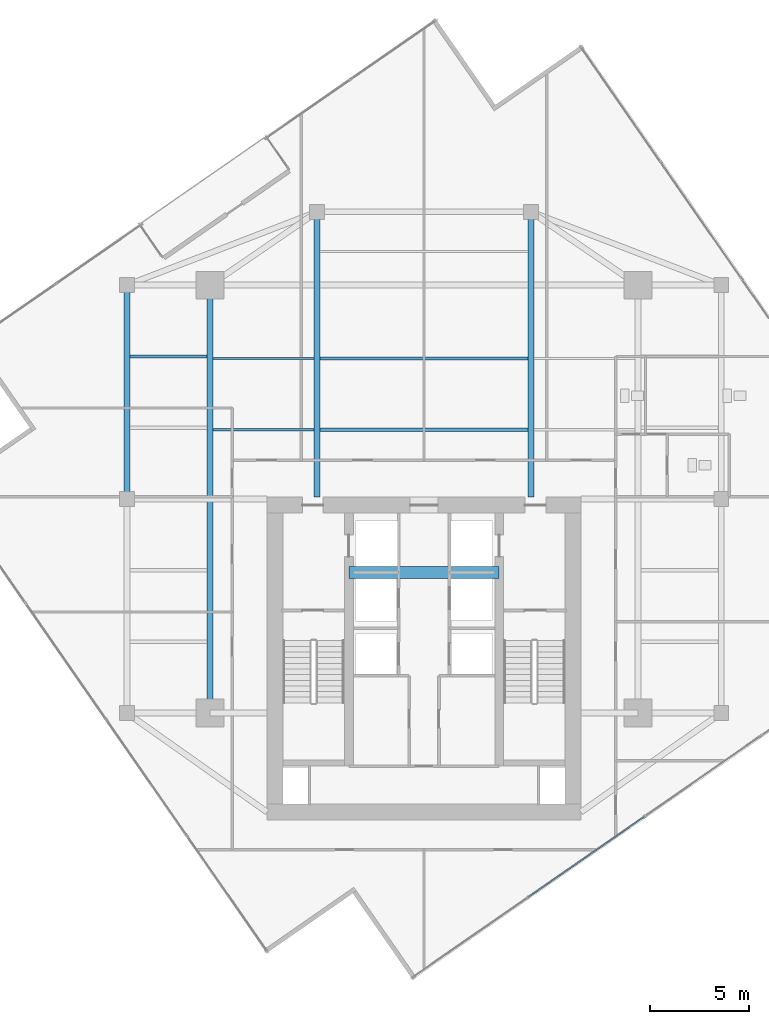
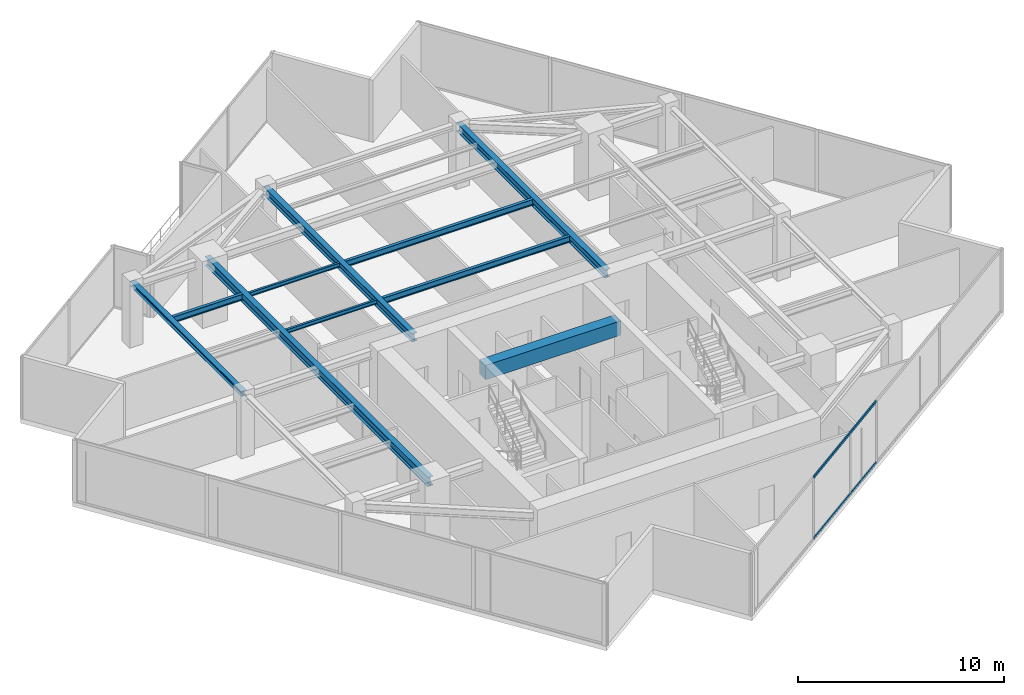
# One storey, part 7 of 21: 10 beams, 2 members, 1 element without a shape of its own.
"""IFC4 building model written with IfcOpenShell, lengths in metres."""

from ifc_helpers import new_model, si_unit, direction, frame, origin, origin_2d, place, context, subcontext, project, spatial, rectangle, hollow_rectangle, i_section, extrude, source, transform, mapped, material, material_profile, profile_set, type_object, type_shapes, element, aggregate, save


model = new_model("IFC4")

# Units and contexts
model_context = context("Model", 3, precision=1e-05, world=origin(), true_north=direction((0.0, 1.0)))
body_context = subcontext(model_context, "Body", "Model", "MODEL_VIEW")
ifc_project = project(units=[si_unit("LENGTHUNIT", "METRE"), si_unit("AREAUNIT", "SQUARE_METRE"), si_unit("VOLUMEUNIT", "CUBIC_METRE"), si_unit("PLANEANGLEUNIT", "RADIAN"), si_unit("MASSUNIT", "GRAM", prefix="KILO")], contexts=[model_context])

# Site, building, storey
site_placement = place(None, origin())
site = spatial("IfcSite", under=ifc_project, at=site_placement, CompositionType="ELEMENT")
building_placement = place(site_placement, origin())
building = spatial("IfcBuilding", under=site, at=building_placement, Name="Krantzveldt Concourse Tower", CompositionType="ELEMENT")
storey_placement = place(building_placement, frame((0.0, 0.0, 275.300048828125)))
storey = spatial("IfcBuildingStorey", under=building, at=storey_placement, Name="L67", CompositionType="ELEMENT", Elevation=275.300048828125)

# Beams
ifc_material_1 = material(Name="Steel S355JR", Category="steel")
ifc_material_profile_1 = material_profile(ifc_material_1, i_section(OverallWidth=0.169921875, OverallDepth=0.360107421875, WebThickness=0.008056640625, FlangeThickness=0.0126953125, FilletRadius=0.01806640625, at=origin_2d()), Name="Steel S355JR", Category="steel")
ifc_profile_set_1 = profile_set([ifc_material_profile_1], Name="Steel S355JR - IPE 360")
beam_type_1 = type_object("IfcBeamType", Name="BM-J-IPE360", PredefinedType="JOIST", material=ifc_profile_set_1)
shared_shape_1 = source(origin(), body_context, "Body", "SweptSolid", [
    extrude(i_section(OverallWidth=0.169921875, OverallDepth=0.360107421875, WebThickness=0.008056640625, FlangeThickness=0.0126953125, FilletRadius=0.01806640625, at=origin_2d()), origin(), (0.0, 0.0, 1.0), 10.5),
])
for number, where, z_axis, x_axis, name in (
    (1, (30.75, 30.199951171875, 3.489990234375), (1.0, 0.0, 0.0), (0.0, 1.0, 0.0), "L67 Secondary Floor Joist JN-C1"),
    (2, (30.75, 33.800048828125, 3.489990234375), (1.0, 0.0, 0.0), (0.0, 1.0, 0.0), "L67 Secondary Floor Joist JN-C2"),
):
    element("IfcBeam", number, at=place(storey_placement, frame(where, z_axis=z_axis, x_axis=x_axis)), inside=storey, type_object=beam_type_1, Name=name, PredefinedType="JOIST", context=body_context, shape_type="MappedRepresentation", body=[
        mapped(shared_shape_1, transform((0.0, 0.0, 0.0), x_axis=(1.0, 0.0, 0.0), y_axis=(0.0, 1.0, 0.0), z_axis=(0.0, 0.0, 1.0), scale=1.0)),
    ])
ifc_material_profile_2 = material_profile(ifc_material_1, i_section(OverallWidth=0.300048828125, OverallDepth=0.489990234375, WebThickness=0.011962890625, FlangeThickness=0.02294921875, FilletRadius=0.027099609375, at=origin_2d()), Name="Steel S355JR", Category="steel")
ifc_profile_set_2 = profile_set([ifc_material_profile_2], Name="Steel S355JR - HEA 500")
beam_type_2 = type_object("IfcBeamType", Name="BM-B-HEA500", PredefinedType="BEAM", material=ifc_profile_set_2)
shared_shape_2 = source(origin(), body_context, "Body", "SweptSolid", [
    extrude(i_section(OverallWidth=0.300048828125, OverallDepth=0.489990234375, WebThickness=0.011962890625, FlangeThickness=0.02294921875, FilletRadius=0.027099609375, at=origin_2d()), origin(), (0.0, 0.0, 1.0), 14.39990234375),
])
type_shapes(beam_type_2, [shared_shape_2])
for number, where, z_axis, x_axis, name in (
    (3, (30.60009765625, 26.800048828125, 3.425048828125), (0.0, 1.0, 0.0), (-1.0, 0.0, 0.0), "L67 Tower Girder BG-CNW"),
    (4, (41.39990234375, 26.800048828125, 3.425048828125), (0.0, 1.0, 0.0), (-1.0, 0.0, 0.0), "L67 Tower Girder BG-CNE"),
):
    element("IfcBeam", number, at=place(storey_placement, frame(where, z_axis=z_axis, x_axis=x_axis)), inside=storey, type_object=beam_type_2, Name=name, PredefinedType="BEAM", context=body_context, shape_type="MappedRepresentation", body=[
        mapped(shared_shape_2, transform((0.0, 0.0, 0.0), x_axis=(1.0, 0.0, 0.0), y_axis=(0.0, 1.0, 0.0), z_axis=(0.0, 0.0, 1.0), scale=1.0)),
    ])
ifc_material_2 = material(Name="Concrete C50/60", Category="concrete")
ifc_material_profile_3 = material_profile(ifc_material_2, rectangle(XDim=0.60009765625, YDim=0.85009765625, at=origin_2d()), Name="Concrete C50/60", Category="concrete")
ifc_profile_set_3 = profile_set([ifc_material_profile_3], Name="Concrete C50/60 - RC-CB 600x850")
beam_type_3 = type_object("IfcBeamType", Name="BM-CB-850", PredefinedType="LINTEL", material=ifc_profile_set_3)
shared_shape_3 = source(origin(), body_context, "Body", "SweptSolid", [
    extrude(rectangle(XDim=0.60009765625, YDim=0.85009765625, at=origin_2d()), origin(), (0.0, 0.0, 1.0), 7.580078125),
])
type_shapes(beam_type_3, [shared_shape_3])
beam_1_placement = place(storey_placement, frame((32.2099609375, 23.0, 3.244873046875), z_axis=(1.0, 0.0, 0.0), x_axis=(0.0, 1.0, 0.0)))
element("IfcBeam", 5, at=beam_1_placement, inside=storey, type_object=beam_type_3, Name="CB-L67-01", PredefinedType="LINTEL", context=body_context, shape_type="MappedRepresentation", body=[
    mapped(shared_shape_3, transform((0.0, 0.0, 0.0), x_axis=(1.0, 0.0, 0.0), y_axis=(0.0, 1.0, 0.0), z_axis=(0.0, 0.0, 1.0), scale=1.0)),
])
ifc_material_profile_4 = material_profile(ifc_material_1, i_section(OverallWidth=0.300048828125, OverallDepth=0.5400390625, WebThickness=0.012451171875, FlangeThickness=0.02392578125, FilletRadius=0.027099609375, at=origin_2d()), Name="Steel S355JR", Category="steel")
ifc_profile_set_4 = profile_set([ifc_material_profile_4], Name="Steel S355JR - HEA 550")
beam_type_4 = type_object("IfcBeamType", Name="BM-B-HEA550", PredefinedType="BEAM", material=ifc_profile_set_4)
shared_shape_4 = source(origin(), body_context, "Body", "SweptSolid", [
    extrude(i_section(OverallWidth=0.300048828125, OverallDepth=0.5400390625, WebThickness=0.012451171875, FlangeThickness=0.02392578125, FilletRadius=0.027099609375, at=origin_2d()), origin(), (0.0, 0.0, 1.0), 21.60009765625),
])
type_shapes(beam_type_4, [shared_shape_4])
beam_2_placement = place(storey_placement, frame((25.199951171875, 15.89990234375, 3.39990234375), z_axis=(0.0, 1.0, 0.0), x_axis=(-1.0, 0.0, 0.0)))
element("IfcBeam", 6, at=beam_2_placement, inside=storey, type_object=beam_type_4, Name="L67 Tower Girder BG-MW", PredefinedType="BEAM", context=body_context, shape_type="MappedRepresentation", body=[
    mapped(shared_shape_4, transform((0.0, 0.0, 0.0), x_axis=(1.0, 0.0, 0.0), y_axis=(0.0, 1.0, 0.0), z_axis=(0.0, 0.0, 1.0), scale=1.0)),
])
ifc_material_profile_5 = material_profile(ifc_material_1, i_section(OverallWidth=0.2900390625, OverallDepth=0.2900390625, WebThickness=0.008544921875, FlangeThickness=0.013916015625, FilletRadius=0.027099609375, at=origin_2d()), Name="Steel S355JR", Category="steel")
ifc_profile_set_5 = profile_set([ifc_material_profile_5], Name="Steel S355JR - HEA 300")
beam_type_5 = type_object("IfcBeamType", Name="BM-SP-HEA300", PredefinedType="SPANDREL", material=ifc_profile_set_5)
shared_shape_5 = source(origin(), body_context, "Body", "SweptSolid", [
    extrude(i_section(OverallWidth=0.2900390625, OverallDepth=0.2900390625, WebThickness=0.008544921875, FlangeThickness=0.013916015625, FilletRadius=0.027099609375, at=origin_2d()), origin(), (0.0, 0.0, 1.0), 10.800048828125),
])
type_shapes(beam_type_5, [shared_shape_5])
beam_3_placement = place(storey_placement, frame((21.0, 26.699951171875, 3.52490234375), z_axis=(0.0, 1.0, 0.0), x_axis=(-1.0, 0.0, 0.0)))
element("IfcBeam", 7, at=beam_3_placement, inside=storey, type_object=beam_type_5, Name="L67 Tower Girder SP-R02", PredefinedType="SPANDREL", context=body_context, shape_type="MappedRepresentation", body=[
    mapped(shared_shape_5, transform((0.0, 0.0, 0.0), x_axis=(1.0, 0.0, 0.0), y_axis=(0.0, 1.0, 0.0), z_axis=(0.0, 0.0, 1.0), scale=1.0)),
])
ifc_material_profile_6 = material_profile(ifc_material_1, i_section(OverallWidth=0.1201171875, OverallDepth=0.239990234375, WebThickness=0.006103515625, FlangeThickness=0.009765625, FilletRadius=0.014892578125, at=origin_2d()), Name="Steel S355JR", Category="steel")
ifc_profile_set_6 = profile_set([ifc_material_profile_6], Name="Steel S355JR - IPE 240")
beam_type_6 = type_object("IfcBeamType", Name="BM-LN-IPE240", PredefinedType="LINTEL", material=ifc_profile_set_6)
shared_shape_6 = source(origin(), body_context, "Body", "SweptSolid", [
    extrude(i_section(OverallWidth=0.1201171875, OverallDepth=0.239990234375, WebThickness=0.006103515625, FlangeThickness=0.009765625, FilletRadius=0.014892578125, at=origin_2d()), origin(), (0.0, 0.0, 1.0), 5.099853515625),
])
type_shapes(beam_type_6, [shared_shape_6])
for number, where, z_axis, x_axis, name in (
    (8, (25.35009765625, 30.199951171875, 3.550048828125), (1.0, 0.0, 0.0), (0.0, 1.0, 0.0), "L67 Secondary Floor Joist JN-W1"),
    (9, (25.35009765625, 33.800048828125, 3.550048828125), (1.0, 0.0, 0.0), (0.0, 1.0, 0.0), "L67 Secondary Floor Joist JN-W2"),
):
    element("IfcBeam", number, at=place(storey_placement, frame(where, z_axis=z_axis, x_axis=x_axis)), inside=storey, type_object=beam_type_6, Name=name, PredefinedType="LINTEL", context=body_context, shape_type="MappedRepresentation", body=[
        mapped(shared_shape_6, transform((0.0, 0.0, 0.0), x_axis=(1.0, 0.0, 0.0), y_axis=(0.0, 1.0, 0.0), z_axis=(0.0, 0.0, 1.0), scale=1.0)),
    ])
shared_shape_7 = source(origin(), body_context, "Body", "SweptSolid", [
    extrude(i_section(OverallWidth=0.169921875, OverallDepth=0.360107421875, WebThickness=0.008056640625, FlangeThickness=0.0126953125, FilletRadius=0.01806640625, at=origin_2d()), origin(), (0.0, 0.0, 1.0), 3.900146484375),
])
type_shapes(beam_type_1, [shared_shape_1, shared_shape_7])
beam_4_placement = place(storey_placement, frame((21.14990234375, 33.89990234375, 3.489990234375), z_axis=(1.0, 0.0, 0.0), x_axis=(0.0, 1.0, 0.0)))
element("IfcBeam", 10, at=beam_4_placement, inside=storey, type_object=beam_type_1, Name="L67 Secondary Floor Joist JW-4", PredefinedType="JOIST", context=body_context, shape_type="MappedRepresentation", body=[
    mapped(shared_shape_7, transform((0.0, 0.0, 0.0), x_axis=(1.0, 0.0, 0.0), y_axis=(0.0, 1.0, 0.0), z_axis=(0.0, 0.0, 1.0), scale=1.0)),
])

# Curtain wall, members
ifc_material_3 = material(Name="Anodised aluminium 6063-T6", Category="aluminium")
curtain_wall_type = type_object("IfcCurtainWallType", Name="CW4", PredefinedType="USERDEFINED", material=ifc_material_3)
curtain_wall_placement = place(storey_placement, origin())
curtain_wall = element("IfcCurtainWall", 11, at=curtain_wall_placement, inside=storey, type_object=curtain_wall_type, Name="CW-L67-F11", ObjectType="UNITISED CURTAIN WALL", PredefinedType="USERDEFINED")
ifc_material_profile_7 = material_profile(ifc_material_3, hollow_rectangle(XDim=0.070068359375, YDim=0.139892578125, WallThickness=0.0048828125, at=origin_2d()), Name="Anodised aluminium 6063-T6", Category="aluminium")
ifc_profile_set_7 = profile_set([ifc_material_profile_7], Name="Anodised aluminium 6063-T6 - ALU-TRAN 140x70x5")
member_type = type_object("IfcMemberType", Name="CW-TRN-150", PredefinedType="USERDEFINED", material=ifc_profile_set_7)
shared_shape_8 = source(origin(), body_context, "Body", "SweptSolid", [
    extrude(hollow_rectangle(XDim=0.070068359375, YDim=0.139892578125, WallThickness=0.0048828125, at=origin_2d()), origin(), (0.0, 0.0, 1.0), 7.079833984375),
])
type_shapes(member_type, [shared_shape_8])
member_1_placement = place(storey_placement, frame((41.274658203125, 6.6142578125, 0.034912109375), z_axis=(0.821653043491, 0.569987961383, 0.0), x_axis=(-0.569987961383, 0.821653043491, 0.0)))
member_1 = element("IfcMember", 12, at=member_1_placement, type_object=member_type, Name="CW-Z56 transom 2.1", ObjectType="TRANSOM", PredefinedType="USERDEFINED", context=body_context, shape_type="MappedRepresentation", body=[
    mapped(shared_shape_8, transform((0.0, 0.0, 0.0), x_axis=(1.0, 0.0, 0.0), y_axis=(0.0, 1.0, 0.0), z_axis=(0.0, 0.0, 1.0), scale=1.0)),
])
member_2_placement = place(storey_placement, frame((41.274658203125, 6.6142578125, 3.635009765625), z_axis=(0.821653043491, 0.569987961383, 0.0), x_axis=(-0.569987961383, 0.821653043491, 0.0)))
member_2 = element("IfcMember", 13, at=member_2_placement, type_object=member_type, Name="CW-Z56 transom 2.2", ObjectType="TRANSOM", PredefinedType="USERDEFINED", context=body_context, shape_type="MappedRepresentation", body=[
    mapped(shared_shape_8, transform((0.0, 0.0, 0.0), x_axis=(1.0, 0.0, 0.0), y_axis=(0.0, 1.0, 0.0), z_axis=(0.0, 0.0, 1.0), scale=1.0)),
])
aggregate(curtain_wall, [member_1, member_2])

save(model, "model.ifc")
